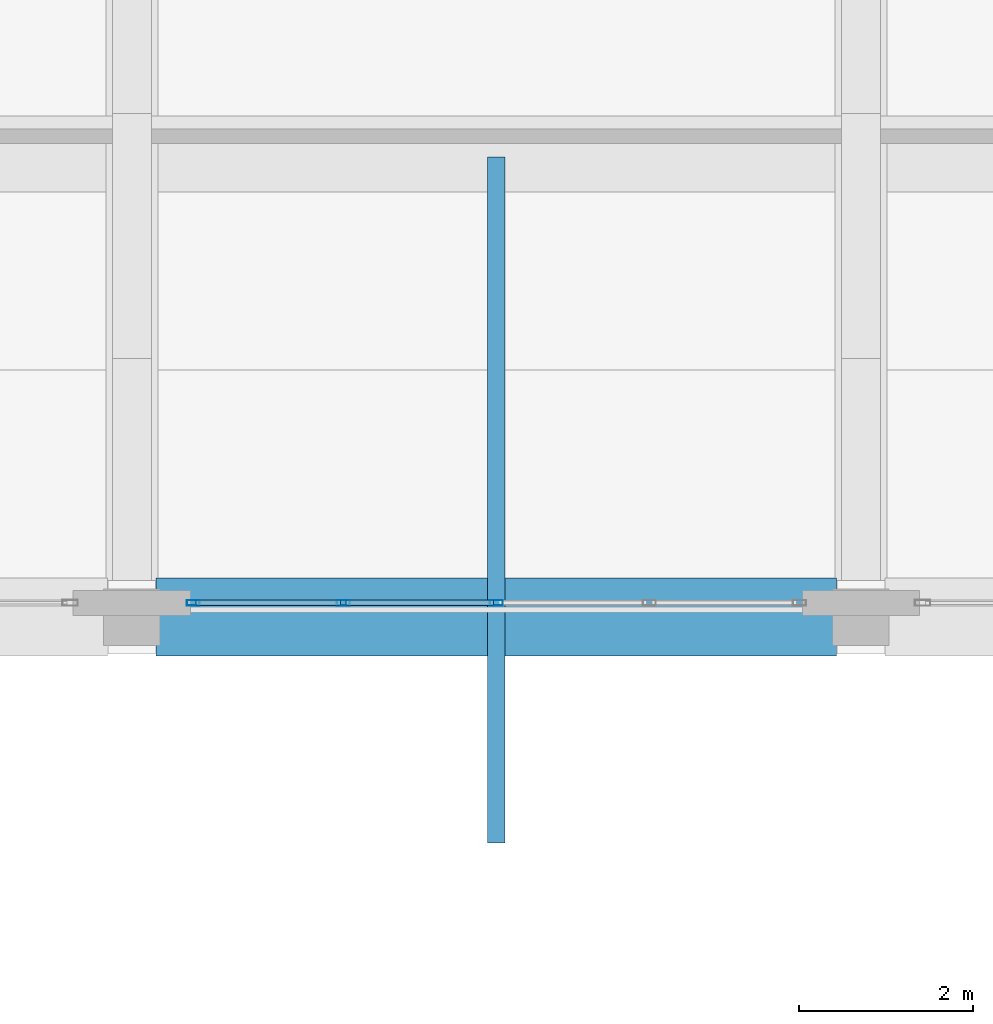
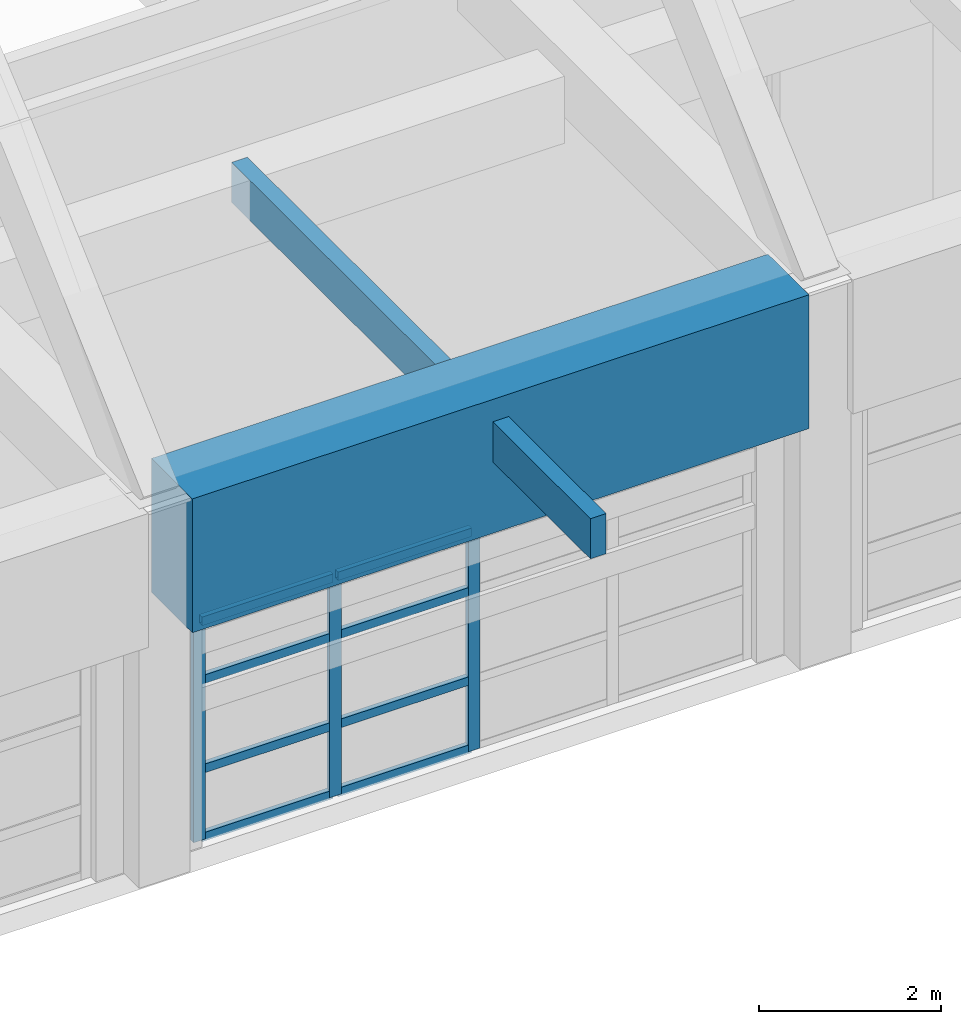
# One storey, part 45 of 103: 12 members, 1 beam, 1 element without a shape of its own.
"""IFC4 building model written with IfcOpenShell, lengths in metres."""

import ifcopenshell
import ifcopenshell.guid

model = None  # the IFC model being written
_history = None  # IfcOwnerHistory: only IFC2X3 demands one
_inside = {}  # id of a spatial element -> (the spatial element, [elements in it])
_under = {}  # id of a project, library or spatial element -> (it, [spatial elements below it])
_declared = {}  # id of a project -> (the project, [libraries it declares])
_typed = {}  # id of a type object -> (the type object, [elements of that type])
_made_of = {}  # id of a material, layer set ... -> (it, [elements and type objects made of it])


def new_model(schema):
    """Start an empty IFC model of exactly this schema.

    Asked for "IFC4X3", IfcOpenShell would pick the latest addendum, in which some entities
    have other attributes; the version numbers below select the first issue.
    IFC2X3 requires an IfcOwnerHistory on every rooted entity: one is made here for all.
    """
    global model, _history
    if schema == "IFC4X3":
        model = ifcopenshell.file(schema_version=(4, 3, 0, 0))
    else:
        model = ifcopenshell.file(schema=schema)
    _inside.clear()
    _under.clear()
    _declared.clear()
    _typed.clear()
    _made_of.clear()
    _history = None
    if model.schema == "IFC2X3":
        org = make("IfcOrganization", Name="unknown")
        user = make(
            "IfcPersonAndOrganization",
            ThePerson=make("IfcPerson", FamilyName="unknown"),
            TheOrganization=org,
        )
        app = make(
            "IfcApplication",
            ApplicationDeveloper=org,
            Version="unknown",
            ApplicationFullName="unknown",
            ApplicationIdentifier="unknown",
        )
        _history = make(
            "IfcOwnerHistory",
            OwningUser=user,
            OwningApplication=app,
            ChangeAction="ADDED",
            CreationDate=0,
        )
    return model


def make(cls, **values):
    """One entity of the class cls with the attributes given. An attribute that is None is left unset."""
    return model.create_entity(
        cls, **{name: value for name, value in values.items() if value is not None}
    )


def rooted(cls, **values):
    """An entity with a GlobalId (a new one), such as an element, a storey or a relation."""
    return make(cls, GlobalId=ifcopenshell.guid.new(), OwnerHistory=_history, **values)


def si_unit(unit_type, name, prefix=None):
    """IfcSIUnit, for example si_unit("LENGTHUNIT", "METRE", prefix="MILLI")."""
    return make("IfcSIUnit", UnitType=unit_type, Prefix=prefix, Name=name)


def assignment(units):
    """IfcUnitAssignment: the units of a project."""
    return None if units is None else make("IfcUnitAssignment", Units=units)


def point(xyz):
    """IfcCartesianPoint."""
    return None if xyz is None else make("IfcCartesianPoint", Coordinates=xyz)


def direction(xyz):
    """IfcDirection."""
    return None if xyz is None else make("IfcDirection", DirectionRatios=xyz)


def frame(location, z_axis=None, x_axis=None):
    """IfcAxis2Placement3D, a coordinate frame: its origin and axes. An axis left out is left unset."""
    return make(
        "IfcAxis2Placement3D",
        Location=point(location),
        Axis=direction(z_axis),
        RefDirection=direction(x_axis),
    )


def frame_2d(location, x_axis=None):
    """IfcAxis2Placement2D, a coordinate frame in the plane: its origin and x axis."""
    return make(
        "IfcAxis2Placement2D", Location=point(location), RefDirection=direction(x_axis)
    )


def origin():
    """The frame at (0, 0, 0) with its axes left unset."""
    return frame((0.0, 0.0, 0.0))


def origin_2d():
    """The frame at (0, 0) in the plane with its x axis left unset."""
    return frame_2d((0.0, 0.0))


def place(relative_to, where):
    """IfcLocalPlacement: puts the frame where relative to a parent placement (None: the world)."""
    return make(
        "IfcLocalPlacement", PlacementRelTo=relative_to, RelativePlacement=where
    )


def context(
    kind, dimensions, precision=None, world=None, true_north=None, identifier=None
):
    """IfcGeometricRepresentationContext, for example the 3D "Model" context."""
    return make(
        "IfcGeometricRepresentationContext",
        ContextIdentifier=identifier,
        ContextType=kind,
        CoordinateSpaceDimension=dimensions,
        Precision=precision,
        WorldCoordinateSystem=world,
        TrueNorth=true_north,
    )


def subcontext(parent, identifier, kind, view, scale=None):
    """IfcGeometricRepresentationSubContext, for example "Body" below "Model"."""
    return make(
        "IfcGeometricRepresentationSubContext",
        ContextIdentifier=identifier,
        ContextType=kind,
        ParentContext=parent,
        TargetScale=scale,
        TargetView=view,
    )


def project(units=None, contexts=None):
    """IfcProject with its units and contexts."""
    return rooted(
        "IfcProject",
        Name="project",
        RepresentationContexts=contexts,
        UnitsInContext=assignment(units),
    )


def spatial(cls, under=None, at=None, **own):
    """A site, building, storey or space (cls), placed at a placement, below another one or the project."""
    s = rooted(cls, ObjectPlacement=at, **own)
    if under is not None:
        _under.setdefault(under.id(), (under, []))[1].append(s)
    return s


def profile(cls, at=None, kind="AREA", **sizes):
    """A parametric profile (cls). Its sizes go by their IFC names, for example OverallWidth=200.0."""
    return make(cls, ProfileType=kind, Position=at, **sizes)


def rectangle(**sizes):
    """IfcRectangleProfileDef."""
    return profile("IfcRectangleProfileDef", **sizes)


def hollow_rectangle(**sizes):
    """IfcRectangleHollowProfileDef."""
    return profile("IfcRectangleHollowProfileDef", **sizes)


def extrude(swept, where, along, depth):
    """IfcExtrudedAreaSolid: the profile swept, set in the frame where, extruded along a direction by depth."""
    return make(
        "IfcExtrudedAreaSolid",
        SweptArea=swept,
        Position=where,
        ExtrudedDirection=direction(along),
        Depth=depth,
    )


def shape(context_of_items, identifier, shape_type, items):
    """IfcShapeRepresentation: the items that make up one representation, for example the "Body"."""
    return make(
        "IfcShapeRepresentation",
        ContextOfItems=context_of_items,
        RepresentationIdentifier=identifier,
        RepresentationType=shape_type,
        Items=items,
    )


def material(Name=None, Category=None):
    """IfcMaterial."""
    return make("IfcMaterial", Name=Name, Category=Category)


def layer(
    of_material, thickness, ventilated=None, Name=None, Category=None, Priority=None
):
    """IfcMaterialLayer: one layer of a wall or slab, of a material (None: an air gap)."""
    return make(
        "IfcMaterialLayer",
        Material=of_material,
        LayerThickness=thickness,
        IsVentilated=ventilated,
        Name=Name,
        Category=Category,
        Priority=Priority,
    )


def layer_set(layers, Name=None):
    """IfcMaterialLayerSet."""
    return make("IfcMaterialLayerSet", MaterialLayers=layers, LayerSetName=Name)


def material_profile(
    of_material, cross_section, Name=None, Category=None, Priority=None
):
    """IfcMaterialProfile: a cross section and its material."""
    return make(
        "IfcMaterialProfile",
        Name=Name,
        Material=of_material,
        Profile=cross_section,
        Priority=Priority,
        Category=Category,
    )


def profile_set(profiles, Name=None, composite=None):
    """IfcMaterialProfileSet."""
    return make(
        "IfcMaterialProfileSet",
        Name=Name,
        MaterialProfiles=profiles,
        CompositeProfile=composite,
    )


def made_of(thing, what):
    """Note that an element or type object is made of a material, layer set ...; save() writes the relation."""
    if what is not None:
        _made_of.setdefault(what.id(), (what, []))[1].append(thing)
    return thing


def type_object(cls, material=None, **own):
    """A type object (cls), such as IfcWallType, which elements share."""
    return made_of(rooted(cls, **own), material)


def element(
    cls,
    number,
    at=None,
    inside=None,
    cuts=None,
    type_object=None,
    material=None,
    context=None,
    identifier="Body",
    shape_type=None,
    held_by="IfcProductDefinitionShape",
    body=None,
    shapes=None,
    **own,
):
    """One element of the class cls, such as IfcWall. Its Tag is "e" and its number.

    at: its placement. inside: the storey or other place that contains it. cuts: it is an
    opening in that element (IfcRelVoidsElement). A single representation is given by context,
    identifier, shape_type and body (its items); several are given by shapes. held_by: the class
    of the entity that holds the representations. save() writes the other relations.
    """
    e = rooted(cls, Tag="e%d" % number, ObjectPlacement=at, **own)
    if body is not None:
        shapes = [shape(context, identifier, shape_type, body)]
    if shapes is not None:
        e.Representation = make(held_by, Representations=shapes)
    if inside is not None:
        _inside.setdefault(inside.id(), (inside, []))[1].append(e)
    if cuts is not None:
        rooted(
            "IfcRelVoidsElement", RelatingBuildingElement=cuts, RelatedOpeningElement=e
        )
    if type_object is not None:
        _typed.setdefault(type_object.id(), (type_object, []))[1].append(e)
    return made_of(e, material)


def aggregate(whole, parts):
    """IfcRelAggregates: a whole, such as a stair, and the parts it consists of."""
    return rooted("IfcRelAggregates", RelatingObject=whole, RelatedObjects=parts)


def save(model, path):
    """Write the relations noted so far, then the file.

    IfcRelAggregates (storeys below a building ...), IfcRelContainedInSpatialStructure (elements
    in a storey), IfcRelDefinesByType, IfcRelAssociatesMaterial and IfcRelDeclares: one each for
    every whole, place, type object, material and project.
    """
    for whole, parts in _under.values():
        aggregate(whole, parts)
    for where, things in _inside.values():
        rooted(
            "IfcRelContainedInSpatialStructure",
            RelatedElements=things,
            RelatingStructure=where,
        )
    for kind, things in _typed.values():
        rooted("IfcRelDefinesByType", RelatedObjects=things, RelatingType=kind)
    for what, things in _made_of.values():
        rooted("IfcRelAssociatesMaterial", RelatedObjects=things, RelatingMaterial=what)
    for by, libraries in _declared.values():
        rooted("IfcRelDeclares", RelatingContext=by, RelatedDefinitions=libraries)
    model.write(path)


model = new_model("IFC4")

# Units and contexts
model_context = context("Model", 3, precision=1e-05, world=origin(), true_north=direction((0.0, 1.0)))
body_context = subcontext(model_context, "Body", "Model", "MODEL_VIEW")
ifc_project = project(units=[si_unit("LENGTHUNIT", "METRE"), si_unit("AREAUNIT", "SQUARE_METRE"), si_unit("VOLUMEUNIT", "CUBIC_METRE"), si_unit("PLANEANGLEUNIT", "RADIAN"), si_unit("MASSUNIT", "GRAM", prefix="KILO")], contexts=[model_context])

# Site, building, storey
site_placement = place(None, origin())
site = spatial("IfcSite", under=ifc_project, at=site_placement, CompositionType="ELEMENT")
building_placement = place(site_placement, origin())
building = spatial("IfcBuilding", under=site, at=building_placement, Name="Quendrovan Civic Courthouse", CompositionType="ELEMENT")
storey_placement = place(building_placement, frame((0.0, 0.0, 15.300048828125)))
storey = spatial("IfcBuildingStorey", under=building, at=storey_placement, Name="L04", CompositionType="ELEMENT", Elevation=15.300048828125)

# Beam
ifc_material_1 = material(Name="Concrete C45/55", Category="concrete")
ifc_material_profile_1 = material_profile(ifc_material_1, rectangle(XDim=0.89990234375, YDim=1.800048828125, at=origin_2d()), Name="RC-TG-900x1800")
ifc_profile_set_1 = profile_set([ifc_material_profile_1], Name="Concrete C45/55")
beam_type = type_object("IfcBeamType", Name="BM-TG1800", PredefinedType="BEAM", material=ifc_profile_set_1)
beam_placement = place(storey_placement, frame((75.8798828125, 64.800048828125, 4.199951171875), z_axis=(1.0, 0.0, 0.0), x_axis=(0.0, 1.0, 0.0)))
element("IfcBeam", 1, at=beam_placement, inside=storey, type_object=beam_type, Name="BV2 Springing Collector Girder S-6", PredefinedType="BEAM", context=body_context, shape_type="SweptSolid", body=[
    extrude(rectangle(XDim=0.89990234375, YDim=1.800048828125, at=origin_2d()), origin(), (0.0, 0.0, 1.0), 7.840087890625),
])

# Curtain wall, members
ifc_material_2 = material(Name="Bronze anodised aluminium and low-E glass", Category="aluminium")
ifc_layer = layer(ifc_material_2, 0.179931640625, Name="Bronze anodised aluminium and low-E glass")
ifc_layer_set = layer_set([ifc_layer], Name="Bronze anodised aluminium and low-E glass")
curtain_wall_type = type_object("IfcCurtainWallType", Name="CW-U70x30", PredefinedType="USERDEFINED", material=ifc_layer_set)
curtain_wall_placement = place(storey_placement, origin())
curtain_wall = element("IfcCurtainWall", 2, at=curtain_wall_placement, inside=storey, type_object=curtain_wall_type, Name="L04 Unitised Hurricane Curtain Wall CW-159", ObjectType="UNITISED CURTAIN WALL", PredefinedType="USERDEFINED")
ifc_material_3 = material(Name="Bronze anodised aluminium", Category="aluminium")
ifc_material_profile_2 = material_profile(ifc_material_3, hollow_rectangle(XDim=0.06494140625, YDim=0.14990234375, WallThickness=0.00390625, at=origin_2d()), Name="CW-MULL-65x150")
ifc_profile_set_2 = profile_set([ifc_material_profile_2], Name="Bronze anodised aluminium")
member_type_1 = type_object("IfcMemberType", Name="CW-MULL-B", PredefinedType="MULLION", material=ifc_profile_set_2)
member_1_placement = place(storey_placement, frame((79.800048828125, 64.965087890625, 0.0), z_axis=(0.0, 0.0, 1.0), x_axis=(0.0, -1.0, 0.0)))
member_1 = element("IfcMember", 3, at=member_1_placement, type_object=member_type_1, Name="CW-159 mullion 3", PredefinedType="MULLION", context=body_context, shape_type="SweptSolid", body=[
    extrude(hollow_rectangle(XDim=0.06494140625, YDim=0.14990234375, WallThickness=0.00390625, at=origin_2d()), origin(), (0.0, 0.0, 1.0), 2.969970703125),
])
member_2_placement = place(storey_placement, frame((78.03759765625, 64.965087890625, 0.0), z_axis=(0.0, 0.0, 1.0), x_axis=(0.0, -1.0, 0.0)))
member_2 = element("IfcMember", 4, at=member_2_placement, type_object=member_type_1, Name="CW-159 mullion 4", PredefinedType="MULLION", context=body_context, shape_type="SweptSolid", body=[
    extrude(hollow_rectangle(XDim=0.06494140625, YDim=0.14990234375, WallThickness=0.00390625, at=origin_2d()), origin(), (0.0, 0.0, 1.0), 2.969970703125),
])
member_3_placement = place(storey_placement, frame((76.3076171875, 64.965087890625, 0.0), z_axis=(0.0, 0.0, 1.0), x_axis=(0.0, -1.0, 0.0)))
member_3 = element("IfcMember", 5, at=member_3_placement, type_object=member_type_1, Name="CW-159 mullion 5", PredefinedType="MULLION", context=body_context, shape_type="SweptSolid", body=[
    extrude(hollow_rectangle(XDim=0.06494140625, YDim=0.14990234375, WallThickness=0.00390625, at=origin_2d()), origin(), (0.0, 0.0, 1.0), 2.969970703125),
])
ifc_material_profile_3 = material_profile(ifc_material_3, hollow_rectangle(XDim=0.06494140625, YDim=0.114990234375, WallThickness=0.00390625, at=origin_2d()), Name="CW-TRAN-65x115")
ifc_profile_set_3 = profile_set([ifc_material_profile_3], Name="Bronze anodised aluminium")
member_type_2 = type_object("IfcMemberType", Name="CW-TRAN-B", PredefinedType="USERDEFINED", material=ifc_profile_set_3)
member_4_placement = place(storey_placement, frame((79.767578125, 64.965087890625, 0.032470703125), z_axis=(-1.0, 0.0, 0.0), x_axis=(0.0, -1.0, 0.0)))
member_4 = element("IfcMember", 6, at=member_4_placement, type_object=member_type_2, Name="CW-159 transom 3.1", ObjectType="TRANSOM", PredefinedType="USERDEFINED", context=body_context, shape_type="SweptSolid", body=[
    extrude(hollow_rectangle(XDim=0.06494140625, YDim=0.114990234375, WallThickness=0.00390625, at=origin_2d()), origin(), (0.0, 0.0, 1.0), 1.697509765625),
])
member_5_placement = place(storey_placement, frame((79.767578125, 64.965087890625, 0.949951171875), z_axis=(-1.0, 0.0, 0.0), x_axis=(0.0, -1.0, 0.0)))
member_5 = element("IfcMember", 7, at=member_5_placement, type_object=member_type_2, Name="CW-159 transom 3.2", ObjectType="TRANSOM", PredefinedType="USERDEFINED", context=body_context, shape_type="SweptSolid", body=[
    extrude(hollow_rectangle(XDim=0.06494140625, YDim=0.114990234375, WallThickness=0.00390625, at=origin_2d()), origin(), (0.0, 0.0, 1.0), 1.697509765625),
])
member_6_placement = place(storey_placement, frame((79.767578125, 64.965087890625, 2.14990234375), z_axis=(-1.0, 0.0, 0.0), x_axis=(0.0, -1.0, 0.0)))
member_6 = element("IfcMember", 8, at=member_6_placement, type_object=member_type_2, Name="CW-159 transom 3.3", ObjectType="TRANSOM", PredefinedType="USERDEFINED", context=body_context, shape_type="SweptSolid", body=[
    extrude(hollow_rectangle(XDim=0.06494140625, YDim=0.114990234375, WallThickness=0.00390625, at=origin_2d()), origin(), (0.0, 0.0, 1.0), 1.697509765625),
])
member_7_placement = place(storey_placement, frame((79.767578125, 64.965087890625, 2.9375), z_axis=(-1.0, 0.0, 0.0), x_axis=(0.0, -1.0, 0.0)))
member_7 = element("IfcMember", 9, at=member_7_placement, type_object=member_type_2, Name="CW-159 transom 3.4", ObjectType="TRANSOM", PredefinedType="USERDEFINED", context=body_context, shape_type="SweptSolid", body=[
    extrude(hollow_rectangle(XDim=0.06494140625, YDim=0.114990234375, WallThickness=0.00390625, at=origin_2d()), origin(), (0.0, 0.0, 1.0), 1.697509765625),
])
member_8_placement = place(storey_placement, frame((78.0048828125, 64.965087890625, 0.032470703125), z_axis=(-1.0, 0.0, 0.0), x_axis=(0.0, -1.0, 0.0)))
member_8 = element("IfcMember", 10, at=member_8_placement, type_object=member_type_2, Name="CW-159 transom 4.1", ObjectType="TRANSOM", PredefinedType="USERDEFINED", context=body_context, shape_type="SweptSolid", body=[
    extrude(hollow_rectangle(XDim=0.06494140625, YDim=0.114990234375, WallThickness=0.00390625, at=origin_2d()), origin(), (0.0, 0.0, 1.0), 1.664794921875),
])
member_9_placement = place(storey_placement, frame((78.0048828125, 64.965087890625, 0.949951171875), z_axis=(-1.0, 0.0, 0.0), x_axis=(0.0, -1.0, 0.0)))
member_9 = element("IfcMember", 11, at=member_9_placement, type_object=member_type_2, Name="CW-159 transom 4.2", ObjectType="TRANSOM", PredefinedType="USERDEFINED", context=body_context, shape_type="SweptSolid", body=[
    extrude(hollow_rectangle(XDim=0.06494140625, YDim=0.114990234375, WallThickness=0.00390625, at=origin_2d()), origin(), (0.0, 0.0, 1.0), 1.664794921875),
])
member_10_placement = place(storey_placement, frame((78.0048828125, 64.965087890625, 2.14990234375), z_axis=(-1.0, 0.0, 0.0), x_axis=(0.0, -1.0, 0.0)))
member_10 = element("IfcMember", 12, at=member_10_placement, type_object=member_type_2, Name="CW-159 transom 4.3", ObjectType="TRANSOM", PredefinedType="USERDEFINED", context=body_context, shape_type="SweptSolid", body=[
    extrude(hollow_rectangle(XDim=0.06494140625, YDim=0.114990234375, WallThickness=0.00390625, at=origin_2d()), origin(), (0.0, 0.0, 1.0), 1.664794921875),
])
member_11_placement = place(storey_placement, frame((78.0048828125, 64.965087890625, 2.9375), z_axis=(-1.0, 0.0, 0.0), x_axis=(0.0, -1.0, 0.0)))
member_11 = element("IfcMember", 13, at=member_11_placement, type_object=member_type_2, Name="CW-159 transom 4.4", ObjectType="TRANSOM", PredefinedType="USERDEFINED", context=body_context, shape_type="SweptSolid", body=[
    extrude(hollow_rectangle(XDim=0.06494140625, YDim=0.114990234375, WallThickness=0.00390625, at=origin_2d()), origin(), (0.0, 0.0, 1.0), 1.664794921875),
])
aggregate(curtain_wall, [member_1, member_2, member_3, member_4, member_5, member_6, member_7, member_8, member_9, member_10, member_11])

# Member
ifc_material_4 = material(Name="Western Red Cedar Glulam GL28h", Category="wood")
ifc_material_profile_4 = material_profile(ifc_material_4, rectangle(XDim=0.199951171875, YDim=0.5400390625, at=origin_2d()), Name="GL28H-200x540")
ifc_profile_set_4 = profile_set([ifc_material_profile_4], Name="Western Red Cedar Glulam GL28h")
member_type_3 = type_object("IfcMemberType", Name="MEM-PUR-GL540", PredefinedType="PURLIN", material=ifc_profile_set_4)
member_12_placement = place(storey_placement, frame((79.800048828125, 62.199951171875, 4.530029296875), z_axis=(0.0, 1.0, 0.0), x_axis=(-1.0, 0.0, 0.0)))
element("IfcMember", 14, at=member_12_placement, inside=storey, type_object=member_type_3, Name="BV2 Cedar Glulam South Hurricane Eave Outrigger B6", PredefinedType="PURLIN", context=body_context, shape_type="SweptSolid", body=[
    extrude(rectangle(XDim=0.199951171875, YDim=0.5400390625, at=origin_2d()), origin(), (0.0, 0.0, 1.0), 7.900146484375),
])

save(model, "model.ifc")
